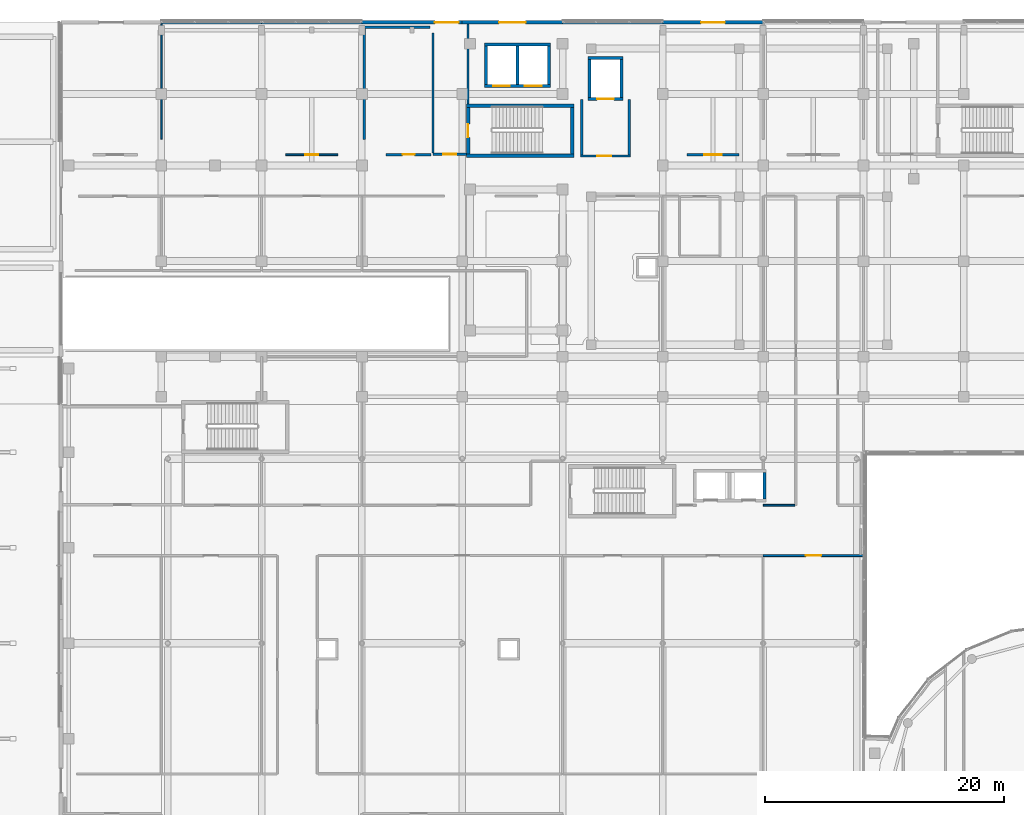
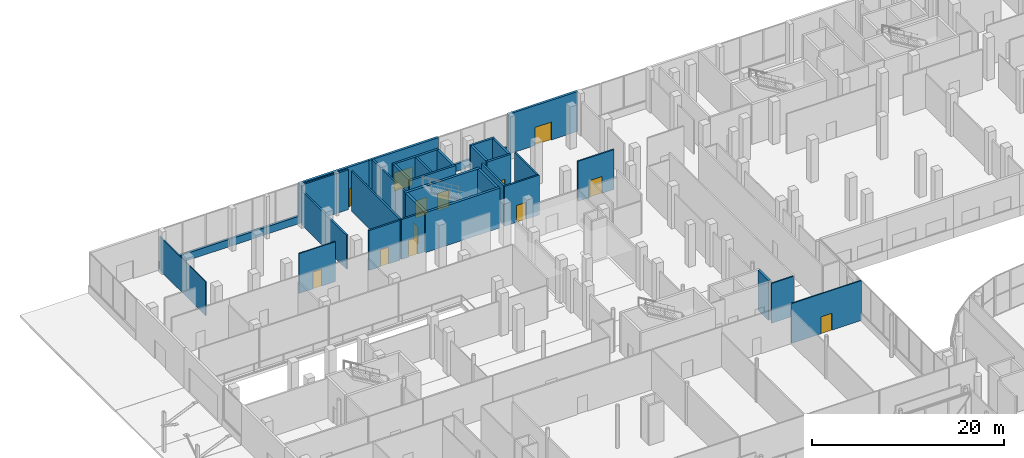
# One storey, part 139 of 158: 34 walls, 13 doors, 13 openings.
"""IFC4 building model written with IfcOpenShell, lengths in metres."""

from ifc_helpers import new_model, si_unit, direction, frame, frame_2d, origin, place, context, subcontext, project, spatial, rectangle, extrude, material, layer, layer_set, type_object, element, fill, save


model = new_model("IFC4")

# Units and contexts
model_context = context("Model", 3, precision=1e-05, world=origin(), true_north=direction((0.0, 1.0)))
body_context = subcontext(model_context, "Body", "Model", "MODEL_VIEW")
ifc_project = project(units=[si_unit("LENGTHUNIT", "METRE"), si_unit("AREAUNIT", "SQUARE_METRE"), si_unit("VOLUMEUNIT", "CUBIC_METRE"), si_unit("PLANEANGLEUNIT", "RADIAN"), si_unit("MASSUNIT", "GRAM", prefix="KILO")], contexts=[model_context])

# Site, building, storey
site_placement = place(None, origin())
site = spatial("IfcSite", under=ifc_project, at=site_placement, CompositionType="ELEMENT")
building_placement = place(site_placement, origin())
building = spatial("IfcBuilding", under=site, at=building_placement, Name="Selatvlak General Hospital", CompositionType="ELEMENT")
storey_placement = place(building_placement, origin())
storey = spatial("IfcBuildingStorey", under=building, at=storey_placement, Name="L00", CompositionType="ELEMENT", Elevation=0.0)

# Walls
ifc_material_1 = material(Name="Precast concrete C40/50 - white Bauhaus spandrel", Category="concrete")
ifc_layer_1 = layer(ifc_material_1, 0.280029296875, Name="Precast concrete C40/50 - white Bauhaus spandrel", Category="concrete")
ifc_layer_set_1 = layer_set([ifc_layer_1], Name="Precast concrete C40/50 - white Bauhaus spandrel")
wall_type_1 = type_object("IfcWallType", Name="WALL-EW-02", PredefinedType="SOLIDWALL", material=ifc_layer_set_1)
for number, where, z_axis, x_axis, name in (
    (1, (22.802001953125, 119.9990234375, 0.0), (0.0, 0.0, 1.0), (1.0, 0.0, 0.0), "L00 Bauhaus spandrel sill wall 0150"),
    (2, (31.201904296875, 119.9990234375, 0.0), (0.0, 0.0, 1.0), (1.0, 0.0, 0.0), "L00 Bauhaus spandrel sill wall 0151"),
):
    element("IfcWall", number, at=place(storey_placement, frame(where, z_axis=z_axis, x_axis=x_axis)), inside=storey, type_object=wall_type_1, Name=name, PredefinedType="SOLIDWALL", context=body_context, shape_type="SweptSolid", body=[
        extrude(rectangle(XDim=8.39599609375, YDim=0.280029296875, at=frame_2d((4.197998046875, 0.0))), origin(), (0.0, 0.0, 1.0), 0.93994140625),
    ])

# Wall, opening, door
wall_1_placement = place(storey_placement, frame((39.60009765625, 119.9990234375, 0.0), z_axis=(0.0, 0.0, 1.0), x_axis=(1.0, 0.0, 0.0)))
wall_1 = element("IfcWall", 3, at=wall_1_placement, inside=storey, type_object=wall_type_1, Name="L00 exterior wall 0152", PredefinedType="SOLIDWALL", context=body_context, shape_type="SweptSolid", body=[
    extrude(rectangle(XDim=8.39990234375, YDim=0.280029296875, at=frame_2d((4.199951171875, 0.0))), origin(), (0.0, 0.0, 1.0), 5.080078125),
])
opening_1_placement = place(wall_1_placement, frame((6.10009765625, 0.0, 0.0)))
opening_1 = element("IfcOpeningElement", 4, at=opening_1_placement, cuts=wall_1, Name="Opening DE-03", PredefinedType="OPENING", context=body_context, shape_type="SweptSolid", body=[
    extrude(rectangle(XDim=2.0, YDim=2.300048828125, at=frame_2d((1.0, 1.14990234375))), frame((0.0, 0.14990234375, 0.0), z_axis=(0.0, -1.0, 0.0), x_axis=(1.0, 0.0, 0.0)), (0.0, 0.0, 1.0), 0.300048828125),
])
ifc_material_2 = material(Name="Steel acoustic fire exit double door", Category="steel")
door_type_1 = type_object("IfcDoorType", Name="DOOR-DE-03", OperationType="DOUBLE_DOOR_SINGLE_SWING", PredefinedType="DOOR", material=ifc_material_2)
door_1_placement = place(opening_1_placement, origin())
door_1 = element("IfcDoor", 5, at=door_1_placement, inside=storey, type_object=door_type_1, Name="Stair ST-01 ground final exit double door", OperationType="DOUBLE_DOOR_SINGLE_SWING", OverallHeight=2.300048828125, OverallWidth=2.0, PredefinedType="DOOR", context=body_context, shape_type="SweptSolid", body=[
    extrude(rectangle(XDim=2.0, YDim=2.300048828125, at=frame_2d((1.0, 1.14990234375))), frame((0.0, 0.02490234375, 0.0), z_axis=(0.0, -1.0, 0.0), x_axis=(1.0, 0.0, 0.0)), (0.0, 0.0, 1.0), 0.050048828125),
])
fill(opening_1, door_1)

wall_2_placement = place(storey_placement, frame((48.0, 119.9990234375, 0.0), z_axis=(0.0, 0.0, 1.0), x_axis=(1.0, 0.0, 0.0)))
wall_2 = element("IfcWall", 6, at=wall_2_placement, inside=storey, type_object=wall_type_1, Name="L00 exterior wall 0153", PredefinedType="SOLIDWALL", context=body_context, shape_type="SweptSolid", body=[
    extrude(rectangle(XDim=8.39990234375, YDim=0.280029296875, at=frame_2d((4.199951171875, 0.0))), origin(), (0.0, 0.0, 1.0), 5.080078125),
])
opening_2_placement = place(wall_2_placement, frame((3.10009765625, 0.0, 0.0)))
opening_2 = element("IfcOpeningElement", 7, at=opening_2_placement, cuts=wall_2, Name="Opening DE-02", PredefinedType="OPENING", context=body_context, shape_type="SweptSolid", body=[
    extrude(rectangle(XDim=2.199951171875, YDim=2.35009765625, at=frame_2d((1.10009765625, 1.175048828125))), frame((0.0, 0.14990234375, 0.0), z_axis=(0.0, -1.0, 0.0), x_axis=(1.0, 0.0, 0.0)), (0.0, 0.0, 1.0), 0.300048828125),
])
ifc_material_3 = material(Name="Anodised aluminium glazed entrance door", Category="aluminium")
door_type_2 = type_object("IfcDoorType", Name="DOOR-DE-02", OperationType="DOUBLE_DOOR_SINGLE_SWING", PredefinedType="DOOR", material=ifc_material_3)
door_2_placement = place(opening_2_placement, origin())
door_2 = element("IfcDoor", 8, at=door_2_placement, inside=storey, type_object=door_type_2, Name="Ground pedestrian final exit double door 07", OperationType="DOUBLE_DOOR_SINGLE_SWING", OverallHeight=2.35009765625, OverallWidth=2.199951171875, PredefinedType="DOOR", context=body_context, shape_type="SweptSolid", body=[
    extrude(rectangle(XDim=2.199951171875, YDim=2.35009765625, at=frame_2d((1.10009765625, 1.175048828125))), frame((0.0, 0.02490234375, 0.0), z_axis=(0.0, -1.0, 0.0), x_axis=(1.0, 0.0, 0.0)), (0.0, 0.0, 1.0), 0.050048828125),
])
fill(opening_2, door_2)

# Wall
wall_3_placement = place(storey_placement, frame((56.402099609375, 119.9990234375, 0.0), z_axis=(0.0, 0.0, 1.0), x_axis=(1.0, 0.0, 0.0)))
element("IfcWall", 9, at=wall_3_placement, inside=storey, type_object=wall_type_1, Name="L00 Bauhaus spandrel sill wall 0154", PredefinedType="SOLIDWALL", context=body_context, shape_type="SweptSolid", body=[
    extrude(rectangle(XDim=8.39599609375, YDim=0.280029296875, at=frame_2d((4.197998046875, 0.0))), origin(), (0.0, 0.0, 1.0), 0.93994140625),
])

# Wall, opening, door
wall_4_placement = place(storey_placement, frame((64.800048828125, 119.9990234375, 0.0), z_axis=(0.0, 0.0, 1.0), x_axis=(1.0, 0.0, 0.0)))
wall_4 = element("IfcWall", 10, at=wall_4_placement, inside=storey, type_object=wall_type_1, Name="L00 exterior wall 0155", PredefinedType="SOLIDWALL", context=body_context, shape_type="SweptSolid", body=[
    extrude(rectangle(XDim=8.39990234375, YDim=0.280029296875, at=frame_2d((4.199951171875, 0.0))), origin(), (0.0, 0.0, 1.0), 5.080078125),
])
opening_3_placement = place(wall_4_placement, frame((3.199951171875, 0.0, 0.0)))
opening_3 = element("IfcOpeningElement", 11, at=opening_3_placement, cuts=wall_4, Name="Opening DE-03", PredefinedType="OPENING", context=body_context, shape_type="SweptSolid", body=[
    extrude(rectangle(XDim=2.0, YDim=2.300048828125, at=frame_2d((1.0, 1.14990234375))), frame((0.0, 0.14990234375, 0.0), z_axis=(0.0, -1.0, 0.0), x_axis=(1.0, 0.0, 0.0)), (0.0, 0.0, 1.0), 0.300048828125),
])
door_3_placement = place(opening_3_placement, origin())
door_3 = element("IfcDoor", 12, at=door_3_placement, inside=storey, type_object=door_type_1, Name="Ground pedestrian final exit double door 08", OperationType="DOUBLE_DOOR_SINGLE_SWING", OverallHeight=2.300048828125, OverallWidth=2.0, PredefinedType="DOOR", context=body_context, shape_type="SweptSolid", body=[
    extrude(rectangle(XDim=2.0, YDim=2.300048828125, at=frame_2d((1.0, 1.14990234375))), frame((0.0, 0.02490234375, 0.0), z_axis=(0.0, -1.0, 0.0), x_axis=(1.0, 0.0, 0.0)), (0.0, 0.0, 1.0), 0.050048828125),
])
fill(opening_3, door_3)

ifc_material_4 = material(Name="Concrete C40/50", Category="concrete")
ifc_layer_2 = layer(ifc_material_4, 0.199951171875, Name="Concrete C40/50", Category="concrete")
ifc_layer_set_2 = layer_set([ifc_layer_2], Name="Concrete C40/50")
wall_type_2 = type_object("IfcWallType", Name="WALL-IW-02", PredefinedType="SOLIDWALL", material=ifc_layer_set_2)
wall_5_placement = place(storey_placement, frame((57.89990234375, 108.800048828125, 0.0), z_axis=(0.0, 0.0, 1.0), x_axis=(1.0, 0.0, 0.0)))
wall_5 = element("IfcWall", 13, at=wall_5_placement, inside=storey, type_object=wall_type_2, Name="Firefighting lobby C1 wall L00 S", PredefinedType="SOLIDWALL", context=body_context, shape_type="SweptSolid", body=[
    extrude(rectangle(XDim=4.2001953125, YDim=0.199951171875, at=frame_2d((2.10009765625, 0.0))), origin(), (0.0, 0.0, 1.0), 5.080078125),
])
opening_4_placement = place(wall_5_placement, frame((1.425048828125, 0.0, 0.0)))
opening_4 = element("IfcOpeningElement", 14, at=opening_4_placement, cuts=wall_5, Name="Opening D-06", PredefinedType="OPENING", context=body_context, shape_type="SweptSolid", body=[
    extrude(rectangle(XDim=1.14990234375, YDim=2.14990234375, at=frame_2d((0.574951171875, 1.074951171875))), frame((0.0, 0.10986328125, 0.0), z_axis=(0.0, -1.0, 0.0), x_axis=(1.0, 0.0, 0.0)), (0.0, 0.0, 1.0), 0.219970703125),
])
ifc_material_5 = material(Name="Firefighting lobby fire door")
door_type_3 = type_object("IfcDoorType", Name="DOOR-D-06", OperationType="NOTDEFINED", PredefinedType="DOOR", material=ifc_material_5)
door_4_placement = place(opening_4_placement, origin())
door_4 = element("IfcDoor", 15, at=door_4_placement, inside=storey, type_object=door_type_3, Name="Firefighting lobby C1 door on L00", OperationType="SINGLE_SWING_LEFT", OverallHeight=2.14990234375, OverallWidth=1.14990234375, PredefinedType="DOOR", context=body_context, shape_type="SweptSolid", body=[
    extrude(rectangle(XDim=1.14990234375, YDim=2.14990234375, at=frame_2d((0.574951171875, 1.074951171875))), frame((0.0, 0.02490234375, 0.0), z_axis=(0.0, -1.0, 0.0), x_axis=(1.0, 0.0, 0.0)), (0.0, 0.0, 1.0), 0.050048828125),
])
fill(opening_4, door_4)

# Walls
for number, where, z_axis, x_axis, name in (
    (16, (62.0, 108.89990234375, 0.0), (0.0, 0.0, 1.0), (0.0, 1.0, 0.0), "Firefighting lobby C1 wall L00 E"),
    (17, (58.0, 113.550048828125, 0.0), (0.0, 0.0, 1.0), (0.0, -1.0, 0.0), "Firefighting lobby C1 wall L00 W"),
):
    element("IfcWall", number, at=place(storey_placement, frame(where, z_axis=z_axis, x_axis=x_axis)), inside=storey, type_object=wall_type_2, Name=name, PredefinedType="SOLIDWALL", context=body_context, shape_type="SweptSolid", body=[
        extrude(rectangle(XDim=4.650146484375, YDim=0.199951171875, at=frame_2d((2.3251953125, 0.0))), origin(), (0.0, 0.0, 1.0), 5.080078125),
    ])
wall_6_placement = place(storey_placement, frame((48.47998046875, 119.860107421875, 0.0), z_axis=(0.0, 0.0, 1.0), x_axis=(0.0, -1.0, 0.0)))
element("IfcWall", 18, at=wall_6_placement, inside=storey, type_object=wall_type_2, Name="L00 clinical partition PT-L00-0363", PredefinedType="SOLIDWALL", context=body_context, shape_type="SweptSolid", body=[
    extrude(rectangle(XDim=6.713134765625, YDim=0.199951171875, at=frame_2d((3.3564453125, 0.0))), origin(), (0.0, 0.0, 1.0), 5.080078125),
])

# Wall, opening, door
wall_7_placement = place(storey_placement, frame((48.340087890625, 108.949951171875, 0.0), z_axis=(0.0, 0.0, 1.0), x_axis=(-1.0, 0.0, 0.0)))
wall_7 = element("IfcWall", 19, at=wall_7_placement, inside=storey, type_object=wall_type_2, Name="L00 clinical partition PT-L00-0364", PredefinedType="SOLIDWALL", context=body_context, shape_type="SweptSolid", body=[
    extrude(rectangle(XDim=2.7900390625, YDim=0.199951171875, at=frame_2d((1.39501953125, 0.0))), origin(), (0.0, 0.0, 1.0), 5.080078125),
])
opening_5_placement = place(wall_7_placement, frame((0.844970703125, 0.0, 0.0)))
opening_5 = element("IfcOpeningElement", 20, at=opening_5_placement, cuts=wall_7, Name="Opening D-22", PredefinedType="OPENING", context=body_context, shape_type="SweptSolid", body=[
    extrude(rectangle(XDim=1.10009765625, YDim=2.14990234375, at=frame_2d((0.550048828125, 1.074951171875))), frame((0.0, 0.10986328125, 0.0), z_axis=(0.0, -1.0, 0.0), x_axis=(1.0, 0.0, 0.0)), (0.0, 0.0, 1.0), 0.219970703125),
])
ifc_material_6 = material(Name="Pharmacy security fire door")
door_type_4 = type_object("IfcDoorType", Name="DOOR-D-22", OperationType="NOTDEFINED", PredefinedType="DOOR", material=ifc_material_6)
door_5_placement = place(opening_5_placement, origin())
door_5 = element("IfcDoor", 21, at=door_5_placement, inside=storey, type_object=door_type_4, Name="L00 Protected Exit Passageway ST-01 door", OperationType="SINGLE_SWING_LEFT", OverallHeight=2.14990234375, OverallWidth=1.10009765625, PredefinedType="DOOR", context=body_context, shape_type="SweptSolid", body=[
    extrude(rectangle(XDim=1.10009765625, YDim=2.14990234375, at=frame_2d((0.550048828125, 1.074951171875))), frame((0.0, 0.02490234375, 0.0), z_axis=(0.0, -1.0, 0.0), x_axis=(1.0, 0.0, 0.0)), (0.0, 0.0, 1.0), 0.050048828125),
])
fill(opening_5, door_5)

# Walls
wall_8_placement = place(storey_placement, frame((45.550048828125, 109.0458984375, 0.0), z_axis=(0.0, 0.0, 1.0), x_axis=(0.0, 1.0, 0.0)))
element("IfcWall", 22, at=wall_8_placement, inside=storey, type_object=wall_type_2, Name="L00 clinical partition PT-L00-0365", PredefinedType="SOLIDWALL", context=body_context, shape_type="SweptSolid", body=[
    extrude(rectangle(XDim=10.072021484375, YDim=0.199951171875, at=frame_2d((5.0361328125, 0.0))), origin(), (0.0, 0.0, 1.0), 5.080078125),
])
wall_9_placement = place(storey_placement, frame((39.760986328125, 119.60009765625, 0.0), z_axis=(0.0, 0.0, 1.0), x_axis=(1.0, 0.0, 0.0)))
element("IfcWall", 23, at=wall_9_placement, inside=storey, type_object=wall_type_2, Name="L00 clinical partition PT-L00-0398", PredefinedType="SOLIDWALL", context=body_context, shape_type="SweptSolid", body=[
    extrude(rectangle(XDim=5.5458984375, YDim=0.199951171875, at=frame_2d((2.77294921875, 0.0))), origin(), (0.0, 0.0, 1.0), 5.080078125),
])

# Wall, opening, door
wall_10_placement = place(storey_placement, frame((45.39990234375, 108.919921875, 0.0), z_axis=(0.0, 0.0, 1.0), x_axis=(-1.0, 0.0, 0.0)))
wall_10 = element("IfcWall", 24, at=wall_10_placement, inside=storey, type_object=wall_type_2, Name="L00 clinical partition PT-L00-0399", PredefinedType="SOLIDWALL", context=body_context, shape_type="SweptSolid", body=[
    extrude(rectangle(XDim=3.79296875, YDim=0.199951171875, at=frame_2d((1.896484375, 0.0))), origin(), (0.0, 0.0, 1.0), 5.080078125),
])
opening_6_placement = place(wall_10_placement, frame((1.39599609375, 0.0, 0.0)))
opening_6 = element("IfcOpeningElement", 25, at=opening_6_placement, cuts=wall_10, Name="Opening D-21", PredefinedType="OPENING", context=body_context, shape_type="SweptSolid", body=[
    extrude(rectangle(XDim=1.0, YDim=2.14990234375, at=frame_2d((0.5, 1.074951171875))), frame((0.0, 0.10986328125, 0.0), z_axis=(0.0, -1.0, 0.0), x_axis=(1.0, 0.0, 0.0)), (0.0, 0.0, 1.0), 0.219970703125),
])
ifc_material_7 = material(Name="Laboratory fire door")
door_type_5 = type_object("IfcDoorType", Name="DOOR-D-21", OperationType="NOTDEFINED", PredefinedType="DOOR", material=ifc_material_7)
door_6_placement = place(opening_6_placement, origin())
door_6 = element("IfcDoor", 26, at=door_6_placement, inside=storey, type_object=door_type_5, Name="L00 Fire Command Centre door", OperationType="SINGLE_SWING_RIGHT", OverallHeight=2.14990234375, OverallWidth=1.0, PredefinedType="DOOR", context=body_context, shape_type="SweptSolid", body=[
    extrude(rectangle(XDim=1.0, YDim=2.14990234375, at=frame_2d((0.5, 1.074951171875))), frame((0.0, 0.02490234375, 0.0), z_axis=(0.0, -1.0, 0.0), x_axis=(1.0, 0.0, 0.0)), (0.0, 0.0, 1.0), 0.050048828125),
])
fill(opening_6, door_6)

# Wall
wall_11_placement = place(storey_placement, frame((39.800048828125, 110.199951171875, 0.0), z_axis=(0.0, 0.0, 1.0), x_axis=(0.0, 1.0, 0.0)))
element("IfcWall", 27, at=wall_11_placement, inside=storey, type_object=wall_type_2, Name="L00 clinical partition PT-L00-0400", PredefinedType="SOLIDWALL", context=body_context, shape_type="SweptSolid", body=[
    extrude(rectangle(XDim=9.303955078125, YDim=0.199951171875, at=frame_2d((4.65185546875, 0.0))), origin(), (0.0, 0.0, 1.0), 4.330078125),
])

# Wall, opening, door
ifc_material_8 = material(Name="Acoustic gypsum stud partition")
ifc_layer_3 = layer(ifc_material_8, 0.179931640625, Name="Acoustic gypsum stud partition")
ifc_layer_set_3 = layer_set([ifc_layer_3], Name="Acoustic gypsum stud partition")
wall_type_3 = type_object("IfcWallType", Name="WALL-PT-01", PredefinedType="PARTITIONING", material=ifc_layer_set_3)
wall_12_placement = place(storey_placement, frame((71.18896484375, 108.909912109375, 0.0), z_axis=(0.0, 0.0, 1.0), x_axis=(-1.0, 0.0, 0.0)))
wall_12 = element("IfcWall", 28, at=wall_12_placement, inside=storey, type_object=wall_type_3, Name="L00 clinical partition PT-L00-0675", PredefinedType="PARTITIONING", context=body_context, shape_type="SweptSolid", body=[
    extrude(rectangle(XDim=4.3779296875, YDim=0.179931640625, at=frame_2d((2.18896484375, 0.0))), origin(), (0.0, 0.0, 1.0), 5.080078125),
])
opening_7_placement = place(wall_12_placement, frame((1.464111328125, 0.0, 0.0)))
opening_7 = element("IfcOpeningElement", 29, at=opening_7_placement, cuts=wall_12, Name="Opening D-12", PredefinedType="OPENING", context=body_context, shape_type="SweptSolid", body=[
    extrude(rectangle(XDim=1.449951171875, YDim=2.14990234375, at=frame_2d((0.72509765625, 1.074951171875))), frame((0.0, 0.099853515625, 0.0), z_axis=(0.0, -1.0, 0.0), x_axis=(1.0, 0.0, 0.0)), (0.0, 0.0, 1.0), 0.199951171875),
])
ifc_material_9 = material(Name="Isolation anteroom door")
door_type_6 = type_object("IfcDoorType", Name="DOOR-D-12", OperationType="NOTDEFINED", PredefinedType="DOOR", material=ifc_material_9)
door_7_placement = place(opening_7_placement, origin())
door_7 = element("IfcDoor", 30, at=door_7_placement, inside=storey, type_object=door_type_6, Name="L00 Public Dining Cafeteria 66 door", OperationType="SINGLE_SWING_LEFT", OverallHeight=2.14990234375, OverallWidth=1.449951171875, PredefinedType="DOOR", context=body_context, shape_type="SweptSolid", body=[
    extrude(rectangle(XDim=1.449951171875, YDim=2.14990234375, at=frame_2d((0.72509765625, 1.074951171875))), frame((0.0, 0.02490234375, 0.0), z_axis=(0.0, -1.0, 0.0), x_axis=(1.0, 0.0, 0.0)), (0.0, 0.0, 1.0), 0.050048828125),
])
fill(opening_7, door_7)

ifc_layer_4 = layer(ifc_material_8, 0.14990234375, Name="Acoustic gypsum stud partition")
ifc_layer_set_4 = layer_set([ifc_layer_4], Name="Acoustic gypsum stud partition")
wall_type_4 = type_object("IfcWallType", Name="WALL-PT-03", PredefinedType="PARTITIONING", material=ifc_layer_set_4)
wall_13_placement = place(storey_placement, frame((73.199951171875, 75.340087890625, 0.0), z_axis=(0.0, 0.0, 1.0), x_axis=(1.0, 0.0, 0.0)))
wall_13 = element("IfcWall", 31, at=wall_13_placement, inside=storey, type_object=wall_type_4, Name="L00 clinical partition PT-L00-0492", PredefinedType="PARTITIONING", context=body_context, shape_type="SweptSolid", body=[
    extrude(rectangle(XDim=8.39599609375, YDim=0.14990234375, at=frame_2d((4.197998046875, 0.0))), origin(), (0.0, 0.0, 1.0), 5.080078125),
])
opening_8_placement = place(wall_13_placement, frame((3.548095703125, 0.0, 0.0)))
opening_8 = element("IfcOpeningElement", 32, at=opening_8_placement, cuts=wall_13, Name="Opening D-24", PredefinedType="OPENING", context=body_context, shape_type="SweptSolid", body=[
    extrude(rectangle(XDim=1.300048828125, YDim=2.14990234375, at=frame_2d((0.64990234375, 1.074951171875))), frame((0.0, 0.0849609375, 0.0), z_axis=(0.0, -1.0, 0.0), x_axis=(1.0, 0.0, 0.0)), (0.0, 0.0, 1.0), 0.169921875),
])
ifc_material_10 = material(Name="Oncology bay door")
door_type_7 = type_object("IfcDoorType", Name="DOOR-D-24", OperationType="NOTDEFINED", PredefinedType="DOOR", material=ifc_material_10)
door_8_placement = place(opening_8_placement, origin())
door_8 = element("IfcDoor", 33, at=door_8_placement, inside=storey, type_object=door_type_7, Name="L00 Diagnostic Radiography Suite 20 door", OperationType="SINGLE_SWING_RIGHT", OverallHeight=2.14990234375, OverallWidth=1.300048828125, PredefinedType="DOOR", context=body_context, shape_type="SweptSolid", body=[
    extrude(rectangle(XDim=1.300048828125, YDim=2.14990234375, at=frame_2d((0.64990234375, 1.074951171875))), frame((0.0, 0.02490234375, 0.0), z_axis=(0.0, -1.0, 0.0), x_axis=(1.0, 0.0, 0.0)), (0.0, 0.0, 1.0), 0.050048828125),
])
fill(opening_8, door_8)

# Wall
wall_14_placement = place(storey_placement, frame((75.861083984375, 79.56005859375, 0.0), z_axis=(0.0, 0.0, 1.0), x_axis=(-1.0, 0.0, 0.0)))
element("IfcWall", 34, at=wall_14_placement, inside=storey, type_object=wall_type_4, Name="L00 clinical partition PT-L00-0642", PredefinedType="PARTITIONING", context=body_context, shape_type="SweptSolid", body=[
    extrude(rectangle(XDim=2.651123046875, YDim=0.14990234375, at=frame_2d((1.32568359375, 0.0))), origin(), (0.0, 0.0, 1.0), 5.080078125),
])

# Wall, opening, door
wall_15_placement = place(storey_placement, frame((37.589111328125, 108.909912109375, 0.0), z_axis=(0.0, 0.0, 1.0), x_axis=(-1.0, 0.0, 0.0)))
wall_15 = element("IfcWall", 35, at=wall_15_placement, inside=storey, type_object=wall_type_4, Name="L00 clinical partition PT-L00-0672", PredefinedType="PARTITIONING", context=body_context, shape_type="SweptSolid", body=[
    extrude(rectangle(XDim=4.378173828125, YDim=0.14990234375, at=frame_2d((2.18896484375, 0.0))), origin(), (0.0, 0.0, 1.0), 5.080078125),
])
opening_9_placement = place(wall_15_placement, frame((1.6640625, 0.0, 0.0)))
opening_9 = element("IfcOpeningElement", 36, at=opening_9_placement, cuts=wall_15, Name="Opening D-04", PredefinedType="OPENING", context=body_context, shape_type="SweptSolid", body=[
    extrude(rectangle(XDim=1.050048828125, YDim=2.14990234375, at=frame_2d((0.52490234375, 1.074951171875))), frame((0.0, 0.0849609375, 0.0), z_axis=(0.0, -1.0, 0.0), x_axis=(1.0, 0.0, 0.0)), (0.0, 0.0, 1.0), 0.169921875),
])
ifc_material_11 = material(Name="Consultation room door")
door_type_8 = type_object("IfcDoorType", Name="DOOR-D-04", OperationType="NOTDEFINED", PredefinedType="DOOR", material=ifc_material_11)
door_9_placement = place(opening_9_placement, origin())
door_9 = element("IfcDoor", 37, at=door_9_placement, inside=storey, type_object=door_type_8, Name="L00 Patient Welfare Office 64 door", OperationType="SINGLE_SWING_RIGHT", OverallHeight=2.14990234375, OverallWidth=1.050048828125, PredefinedType="DOOR", context=body_context, shape_type="SweptSolid", body=[
    extrude(rectangle(XDim=1.050048828125, YDim=2.14990234375, at=frame_2d((0.52490234375, 1.074951171875))), frame((0.0, 0.02490234375, 0.0), z_axis=(0.0, -1.0, 0.0), x_axis=(1.0, 0.0, 0.0)), (0.0, 0.0, 1.0), 0.050048828125),
])
fill(opening_9, door_9)

# Walls
ifc_material_12 = material(Name="Moisture-resistant clinical partition")
ifc_layer_5 = layer(ifc_material_12, 0.1201171875, Name="Moisture-resistant clinical partition")
ifc_layer_set_5 = layer_set([ifc_layer_5], Name="Moisture-resistant clinical partition")
wall_type_5 = type_object("IfcWallType", Name="WALL-PT-05", PredefinedType="PARTITIONING", material=ifc_layer_set_5)
wall_16_placement = place(storey_placement, frame((22.800048828125, 119.860107421875, 0.0), z_axis=(0.0, 0.0, 1.0), x_axis=(0.0, -1.0, 0.0)))
element("IfcWall", 38, at=wall_16_placement, inside=storey, type_object=wall_type_5, Name="L00 clinical partition PT-L00-0669", PredefinedType="PARTITIONING", context=body_context, shape_type="SweptSolid", body=[
    extrude(rectangle(XDim=9.650146484375, YDim=0.1201171875, at=frame_2d((4.8251953125, 0.0))), origin(), (0.0, 0.0, 1.0), 4.330078125),
])
ifc_material_13 = material(Name="Concrete C45/55", Category="concrete")
ifc_layer_6 = layer(ifc_material_13, 0.300048828125, Name="Concrete C45/55", Category="concrete")
ifc_layer_set_6 = layer_set([ifc_layer_6], Name="Concrete C45/55")
wall_type_6 = type_object("IfcWallType", Name="WALL-SW-02", PredefinedType="SHEAR", material=ifc_layer_set_6)
wall_17_placement = place(storey_placement, frame((48.340087890625, 108.840087890625, 0.0), z_axis=(0.0, 0.0, 1.0), x_axis=(1.0, 0.0, 0.0)))
element("IfcWall", 39, at=wall_17_placement, inside=storey, type_object=wall_type_6, Name="ST-01 core shear wall L00 S", PredefinedType="SHEAR", context=body_context, shape_type="SweptSolid", body=[
    extrude(rectangle(XDim=9.02001953125, YDim=0.300048828125, at=frame_2d((4.510009765625, 0.0))), origin(), (0.0, 0.0, 1.0), 5.080078125),
])
wall_18_placement = place(storey_placement, frame((57.2099609375, 108.989990234375, 0.0), z_axis=(0.0, 0.0, 1.0), x_axis=(0.0, 1.0, 0.0)))
element("IfcWall", 40, at=wall_18_placement, inside=storey, type_object=wall_type_6, Name="ST-01 core shear wall L00 E", PredefinedType="SHEAR", context=body_context, shape_type="SweptSolid", body=[
    extrude(rectangle(XDim=3.860107421875, YDim=0.300048828125, at=frame_2d((1.93017578125, 0.0))), origin(), (0.0, 0.0, 1.0), 5.080078125),
])
wall_19_placement = place(storey_placement, frame((57.360107421875, 113.0, 0.0), z_axis=(0.0, 0.0, 1.0), x_axis=(-1.0, 0.0, 0.0)))
element("IfcWall", 41, at=wall_19_placement, inside=storey, type_object=wall_type_6, Name="ST-01 core shear wall L00 N", PredefinedType="SHEAR", context=body_context, shape_type="SweptSolid", body=[
    extrude(rectangle(XDim=9.02001953125, YDim=0.300048828125, at=frame_2d((4.510009765625, 0.0))), origin(), (0.0, 0.0, 1.0), 5.080078125),
])

# Wall, opening, door
wall_20_placement = place(storey_placement, frame((48.489990234375, 112.85009765625, 0.0), z_axis=(0.0, 0.0, 1.0), x_axis=(0.0, -1.0, 0.0)))
wall_20 = element("IfcWall", 42, at=wall_20_placement, inside=storey, type_object=wall_type_6, Name="ST-01 core shear wall L00 W", PredefinedType="SHEAR", context=body_context, shape_type="SweptSolid", body=[
    extrude(rectangle(XDim=3.860107421875, YDim=0.300048828125, at=frame_2d((1.93017578125, 0.0))), origin(), (0.0, 0.0, 1.0), 5.080078125),
])
opening_10_placement = place(wall_20_placement, frame((1.3798828125, 0.0, 0.0)))
opening_10 = element("IfcOpeningElement", 43, at=opening_10_placement, cuts=wall_20, Name="Opening D-05", PredefinedType="OPENING", context=body_context, shape_type="SweptSolid", body=[
    extrude(rectangle(XDim=1.10009765625, YDim=2.14990234375, at=frame_2d((0.550048828125, 1.074951171875))), frame((0.0, 0.159912109375, 0.0), z_axis=(0.0, -1.0, 0.0), x_axis=(1.0, 0.0, 0.0)), (0.0, 0.0, 1.0), 0.320068359375),
])
ifc_material_14 = material(Name="Protected stair fire door")
door_type_9 = type_object("IfcDoorType", Name="DOOR-D-05", OperationType="NOTDEFINED", PredefinedType="DOOR", material=ifc_material_14)
door_10_placement = place(opening_10_placement, origin())
door_10 = element("IfcDoor", 44, at=door_10_placement, inside=storey, type_object=door_type_9, Name="ST-01 protected stair door on L00", OperationType="SINGLE_SWING_RIGHT", OverallHeight=2.14990234375, OverallWidth=1.10009765625, PredefinedType="DOOR", context=body_context, shape_type="SweptSolid", body=[
    extrude(rectangle(XDim=1.10009765625, YDim=2.14990234375, at=frame_2d((0.550048828125, 1.074951171875))), frame((0.0, 0.02490234375, 0.0), z_axis=(0.0, -1.0, 0.0), x_axis=(1.0, 0.0, 0.0)), (0.0, 0.0, 1.0), 0.050048828125),
])
fill(opening_10, door_10)

# Wall
ifc_layer_7 = layer(ifc_material_4, 0.25, Name="Concrete C40/50", Category="concrete")
ifc_layer_set_7 = layer_set([ifc_layer_7], Name="Concrete C40/50")
wall_type_7 = type_object("IfcWallType", Name="WALL-SW-03", PredefinedType="SHEAR", material=ifc_layer_set_7)
wall_21_placement = place(storey_placement, frame((73.324951171875, 80.10009765625, 0.0), z_axis=(0.0, 0.0, 1.0), x_axis=(0.0, 1.0, 0.0)))
element("IfcWall", 45, at=wall_21_placement, inside=storey, type_object=wall_type_7, Name="Lift LP-01-LP-02 shaft wall L00 E", PredefinedType="SHEAR", context=body_context, shape_type="SweptSolid", body=[
    extrude(rectangle(XDim=2.199951171875, YDim=0.25, at=frame_2d((1.10009765625, 0.0))), origin(), (0.0, 0.0, 1.0), 5.080078125),
])

# Wall, opening, door
wall_22_placement = place(storey_placement, frame((58.550048828125, 113.574951171875, 0.0), z_axis=(0.0, 0.0, 1.0), x_axis=(1.0, 0.0, 0.0)))
wall_22 = element("IfcWall", 46, at=wall_22_placement, inside=storey, type_object=wall_type_7, Name="Lift LF-01 shaft wall L00 S", PredefinedType="SHEAR", context=body_context, shape_type="SweptSolid", body=[
    extrude(rectangle(XDim=2.89990234375, YDim=0.25, at=frame_2d((1.449951171875, 0.0))), origin(), (0.0, 0.0, 1.0), 5.080078125),
])
opening_11_placement = place(wall_22_placement, frame((0.75, 0.0, 0.0)))
opening_11 = element("IfcOpeningElement", 47, at=opening_11_placement, cuts=wall_22, Name="Opening LD-F1", PredefinedType="OPENING", context=body_context, shape_type="SweptSolid", body=[
    extrude(rectangle(XDim=1.39990234375, YDim=2.14990234375, at=frame_2d((0.699951171875, 1.074951171875))), frame((0.0, 0.135009765625, 0.0), z_axis=(0.0, -1.0, 0.0), x_axis=(1.0, 0.0, 0.0)), (0.0, 0.0, 1.0), 0.27001953125),
])
ifc_material_15 = material(Name="Stainless steel fire lift landing door", Category="steel")
door_type_10 = type_object("IfcDoorType", Name="DOOR-LD-F1", OperationType="DOUBLE_DOOR_SLIDING", PredefinedType="DOOR", material=ifc_material_15)
door_11_placement = place(opening_11_placement, origin())
door_11 = element("IfcDoor", 48, at=door_11_placement, inside=storey, type_object=door_type_10, Name="Lift LF-01 sliding landing door on L00", OperationType="DOUBLE_DOOR_SLIDING", OverallHeight=2.14990234375, OverallWidth=1.39990234375, PredefinedType="DOOR", context=body_context, shape_type="SweptSolid", body=[
    extrude(rectangle(XDim=1.39990234375, YDim=2.14990234375, at=frame_2d((0.699951171875, 1.074951171875))), frame((0.0, 0.02490234375, 0.0), z_axis=(0.0, -1.0, 0.0), x_axis=(1.0, 0.0, 0.0)), (0.0, 0.0, 1.0), 0.050048828125),
])
fill(opening_11, door_11)

# Walls
wall_23_placement = place(storey_placement, frame((61.324951171875, 113.699951171875, 0.0), z_axis=(0.0, 0.0, 1.0), x_axis=(0.0, 1.0, 0.0)))
element("IfcWall", 49, at=wall_23_placement, inside=storey, type_object=wall_type_7, Name="Lift LF-01 shaft wall L00 E", PredefinedType="SHEAR", context=body_context, shape_type="SweptSolid", body=[
    extrude(rectangle(XDim=3.199951171875, YDim=0.25, at=frame_2d((1.60009765625, 0.0))), origin(), (0.0, 0.0, 1.0), 5.080078125),
])
wall_24_placement = place(storey_placement, frame((61.449951171875, 117.02490234375, 0.0), z_axis=(0.0, 0.0, 1.0), x_axis=(-1.0, 0.0, 0.0)))
element("IfcWall", 50, at=wall_24_placement, inside=storey, type_object=wall_type_7, Name="Lift LF-01 shaft wall L00 N", PredefinedType="SHEAR", context=body_context, shape_type="SweptSolid", body=[
    extrude(rectangle(XDim=2.89990234375, YDim=0.25, at=frame_2d((1.449951171875, 0.0))), origin(), (0.0, 0.0, 1.0), 5.080078125),
])
wall_25_placement = place(storey_placement, frame((58.675048828125, 116.89990234375, 0.0), z_axis=(0.0, 0.0, 1.0), x_axis=(0.0, -1.0, 0.0)))
element("IfcWall", 51, at=wall_25_placement, inside=storey, type_object=wall_type_7, Name="Lift LF-01 shaft wall L00 W", PredefinedType="SHEAR", context=body_context, shape_type="SweptSolid", body=[
    extrude(rectangle(XDim=3.199951171875, YDim=0.25, at=frame_2d((1.60009765625, 0.0))), origin(), (0.0, 0.0, 1.0), 5.080078125),
])

# Wall, openings, doors
wall_26_placement = place(storey_placement, frame((49.85009765625, 114.675048828125, 0.0), z_axis=(0.0, 0.0, 1.0), x_axis=(1.0, 0.0, 0.0)))
wall_26 = element("IfcWall", 52, at=wall_26_placement, inside=storey, type_object=wall_type_7, Name="Lift LB-01-LB-02 shaft wall L00 S", PredefinedType="SHEAR", context=body_context, shape_type="SweptSolid", body=[
    extrude(rectangle(XDim=5.5498046875, YDim=0.25, at=frame_2d((2.77490234375, 0.0))), origin(), (0.0, 0.0, 1.0), 5.080078125),
])
opening_12_placement = place(wall_26_placement, frame((0.75, 0.0, 0.0)))
opening_12 = element("IfcOpeningElement", 53, at=opening_12_placement, cuts=wall_26, Name="Opening LD-B1", PredefinedType="OPENING", context=body_context, shape_type="SweptSolid", body=[
    extrude(rectangle(XDim=1.39990234375, YDim=2.199951171875, at=frame_2d((0.699951171875, 1.10009765625))), frame((0.0, 0.135009765625, 0.0), z_axis=(0.0, -1.0, 0.0), x_axis=(1.0, 0.0, 0.0)), (0.0, 0.0, 1.0), 0.27001953125),
])
opening_13_placement = place(wall_26_placement, frame((3.39990234375, 0.0, 0.0)))
opening_13 = element("IfcOpeningElement", 54, at=opening_13_placement, cuts=wall_26, Name="Opening LD-B1", PredefinedType="OPENING", context=body_context, shape_type="SweptSolid", body=[
    extrude(rectangle(XDim=1.39990234375, YDim=2.199951171875, at=frame_2d((0.699951171875, 1.10009765625))), frame((0.0, 0.135009765625, 0.0), z_axis=(0.0, -1.0, 0.0), x_axis=(1.0, 0.0, 0.0)), (0.0, 0.0, 1.0), 0.27001953125),
])
ifc_material_16 = material(Name="Stainless steel stretcher lift landing door", Category="steel")
door_type_11 = type_object("IfcDoorType", Name="DOOR-LD-B1", OperationType="DOUBLE_DOOR_SLIDING", PredefinedType="DOOR", material=ifc_material_16)
door_12_placement = place(opening_12_placement, origin())
door_12 = element("IfcDoor", 55, at=door_12_placement, inside=storey, type_object=door_type_11, Name="Lift LB-01 sliding landing door on L00", OperationType="DOUBLE_DOOR_SLIDING", OverallHeight=2.199951171875, OverallWidth=1.39990234375, PredefinedType="DOOR", context=body_context, shape_type="SweptSolid", body=[
    extrude(rectangle(XDim=1.39990234375, YDim=2.199951171875, at=frame_2d((0.699951171875, 1.10009765625))), frame((0.0, 0.02490234375, 0.0), z_axis=(0.0, -1.0, 0.0), x_axis=(1.0, 0.0, 0.0)), (0.0, 0.0, 1.0), 0.050048828125),
])
fill(opening_12, door_12)
door_13_placement = place(opening_13_placement, origin())
door_13 = element("IfcDoor", 56, at=door_13_placement, inside=storey, type_object=door_type_11, Name="Lift LB-02 sliding landing door on L00", OperationType="DOUBLE_DOOR_SLIDING", OverallHeight=2.199951171875, OverallWidth=1.39990234375, PredefinedType="DOOR", context=body_context, shape_type="SweptSolid", body=[
    extrude(rectangle(XDim=1.39990234375, YDim=2.199951171875, at=frame_2d((0.699951171875, 1.10009765625))), frame((0.0, 0.02490234375, 0.0), z_axis=(0.0, -1.0, 0.0), x_axis=(1.0, 0.0, 0.0)), (0.0, 0.0, 1.0), 0.050048828125),
])
fill(opening_13, door_13)

# Walls
wall_27_placement = place(storey_placement, frame((55.27490234375, 114.800048828125, 0.0), z_axis=(0.0, 0.0, 1.0), x_axis=(0.0, 1.0, 0.0)))
element("IfcWall", 57, at=wall_27_placement, inside=storey, type_object=wall_type_7, Name="Lift LB-01-LB-02 shaft wall L00 E", PredefinedType="SHEAR", context=body_context, shape_type="SweptSolid", body=[
    extrude(rectangle(XDim=3.199951171875, YDim=0.25, at=frame_2d((1.60009765625, 0.0))), origin(), (0.0, 0.0, 1.0), 5.080078125),
])
wall_28_placement = place(storey_placement, frame((55.39990234375, 118.125, 0.0), z_axis=(0.0, 0.0, 1.0), x_axis=(-1.0, 0.0, 0.0)))
element("IfcWall", 58, at=wall_28_placement, inside=storey, type_object=wall_type_7, Name="Lift LB-01-LB-02 shaft wall L00 N", PredefinedType="SHEAR", context=body_context, shape_type="SweptSolid", body=[
    extrude(rectangle(XDim=5.5498046875, YDim=0.25, at=frame_2d((2.77490234375, 0.0))), origin(), (0.0, 0.0, 1.0), 5.080078125),
])
for number, where, z_axis, x_axis, name in (
    (59, (49.97509765625, 118.0, 0.0), (0.0, 0.0, 1.0), (0.0, -1.0, 0.0), "Lift LB-01-LB-02 shaft wall L00 W"),
    (60, (52.625, 114.800048828125, 0.0), (0.0, 0.0, 1.0), (0.0, 1.0, 0.0), "Lift LB-01-LB-02 dividing shaft wall L00"),
):
    element("IfcWall", number, at=place(storey_placement, frame(where, z_axis=z_axis, x_axis=x_axis)), inside=storey, type_object=wall_type_7, Name=name, PredefinedType="SHEAR", context=body_context, shape_type="SweptSolid", body=[
        extrude(rectangle(XDim=3.199951171875, YDim=0.25, at=frame_2d((1.60009765625, 0.0))), origin(), (0.0, 0.0, 1.0), 5.080078125),
    ])

save(model, "model.ifc")
